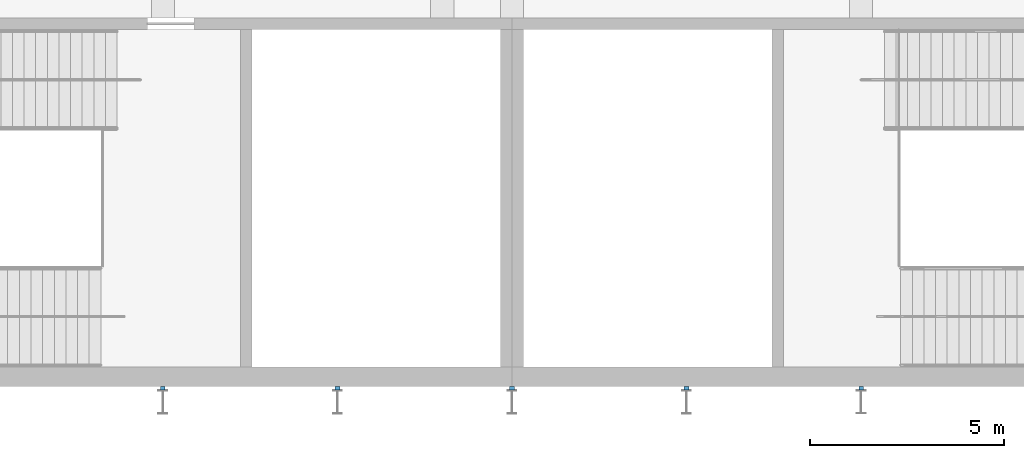
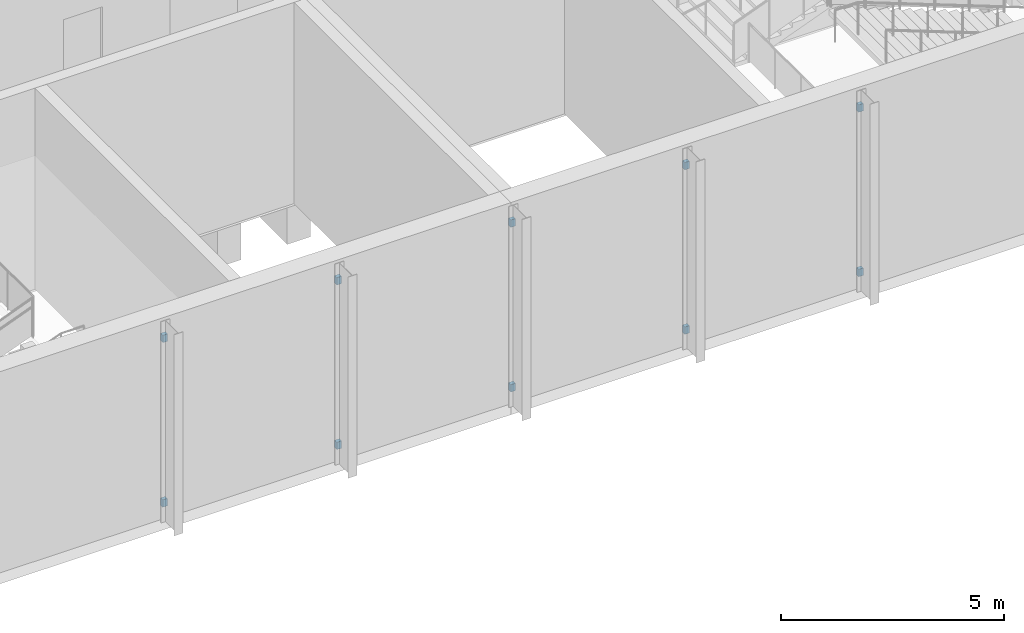
# One storey, part 49 of 84: 10 discrete accessories.
"""IFC4 building model written with IfcOpenShell, lengths in metres."""

from ifc_helpers import new_model, si_unit, direction, frame, origin, origin_2d, place, context, subcontext, project, spatial, rectangle, extrude, material, type_object, element, save


model = new_model("IFC4")

# Units and contexts
model_context = context("Model", 3, precision=1e-05, world=origin(), true_north=direction((0.0, 1.0)))
body_context = subcontext(model_context, "Body", "Model", "MODEL_VIEW")
ifc_project = project(units=[si_unit("LENGTHUNIT", "METRE"), si_unit("AREAUNIT", "SQUARE_METRE"), si_unit("VOLUMEUNIT", "CUBIC_METRE"), si_unit("PLANEANGLEUNIT", "RADIAN"), si_unit("MASSUNIT", "GRAM", prefix="KILO")], contexts=[model_context])

# Site, building, storey
site_placement = place(None, origin())
site = spatial("IfcSite", under=ifc_project, at=site_placement, CompositionType="ELEMENT")
building_placement = place(site_placement, origin())
building = spatial("IfcBuilding", under=site, at=building_placement, Name="Silverbay Arena", CompositionType="ELEMENT")
storey_placement = place(building_placement, frame((0.0, 0.0, 28.0)))
storey = spatial("IfcBuildingStorey", under=building, at=storey_placement, Name="L04", CompositionType="ELEMENT", Elevation=28.0)

# Discrete accessories
ifc_material = material(Name="Steel S355", Category="steel")
discrete_accessory_type = type_object("IfcDiscreteAccessoryType", Name="Steel bracket plate", PredefinedType="BRACKET", material=ifc_material)
for number, where, z_axis, x_axis, name in (
    (1, (90.0, 17.449951171875, 0.39990234375), (0.0, 0.0, 1.0), (1.0, 0.0, 0.0), "Fin bracket"),
    (2, (90.0, 17.449951171875, 4.89990234375), (0.0, 0.0, 1.0), (1.0, 0.0, 0.0), "Fin bracket"),
    (3, (94.5, 17.449951171875, 0.39990234375), (0.0, 0.0, 1.0), (1.0, 0.0, 0.0), "Fin bracket"),
    (4, (94.5, 17.449951171875, 4.89990234375), (0.0, 0.0, 1.0), (1.0, 0.0, 0.0), "Fin bracket"),
    (5, (99.0, 17.449951171875, 0.39990234375), (0.0, 0.0, 1.0), (1.0, 0.0, 0.0), "Fin bracket"),
    (6, (99.0, 17.449951171875, 4.89990234375), (0.0, 0.0, 1.0), (1.0, 0.0, 0.0), "Fin bracket"),
    (7, (103.5, 17.449951171875, 0.39990234375), (0.0, 0.0, 1.0), (1.0, 0.0, 0.0), "Fin bracket"),
    (8, (103.5, 17.449951171875, 4.89990234375), (0.0, 0.0, 1.0), (1.0, 0.0, 0.0), "Fin bracket"),
    (9, (108.0, 17.449951171875, 0.39990234375), (0.0, 0.0, 1.0), (1.0, 0.0, 0.0), "Fin bracket"),
    (10, (108.0, 17.449951171875, 4.89990234375), (0.0, 0.0, 1.0), (1.0, 0.0, 0.0), "Fin bracket"),
):
    element("IfcDiscreteAccessory", number, at=place(storey_placement, frame(where, z_axis=z_axis, x_axis=x_axis)), inside=storey, type_object=discrete_accessory_type, Name=name, PredefinedType="BRACKET", context=body_context, shape_type="SweptSolid", body=[
        extrude(rectangle(XDim=0.1201171875, YDim=0.10009765625, at=origin_2d()), origin(), (0.0, 0.0, 1.0), 0.199951171875),
    ])

save(model, "model.ifc")
